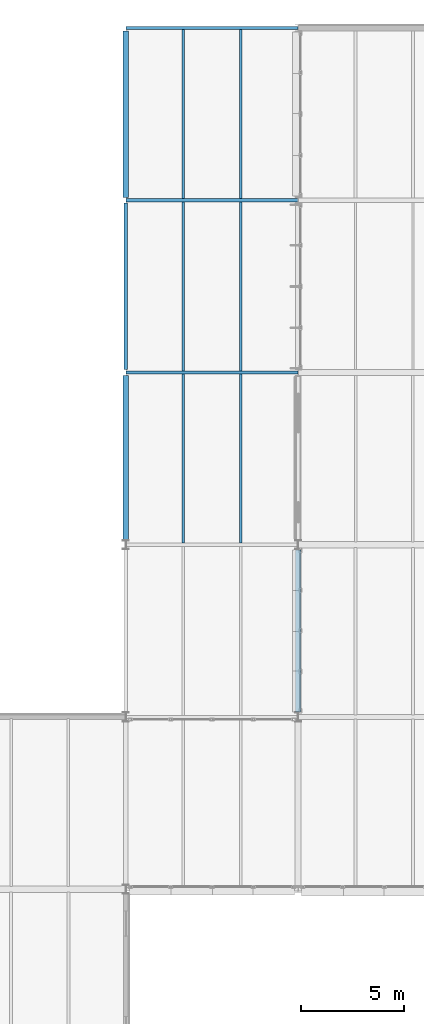
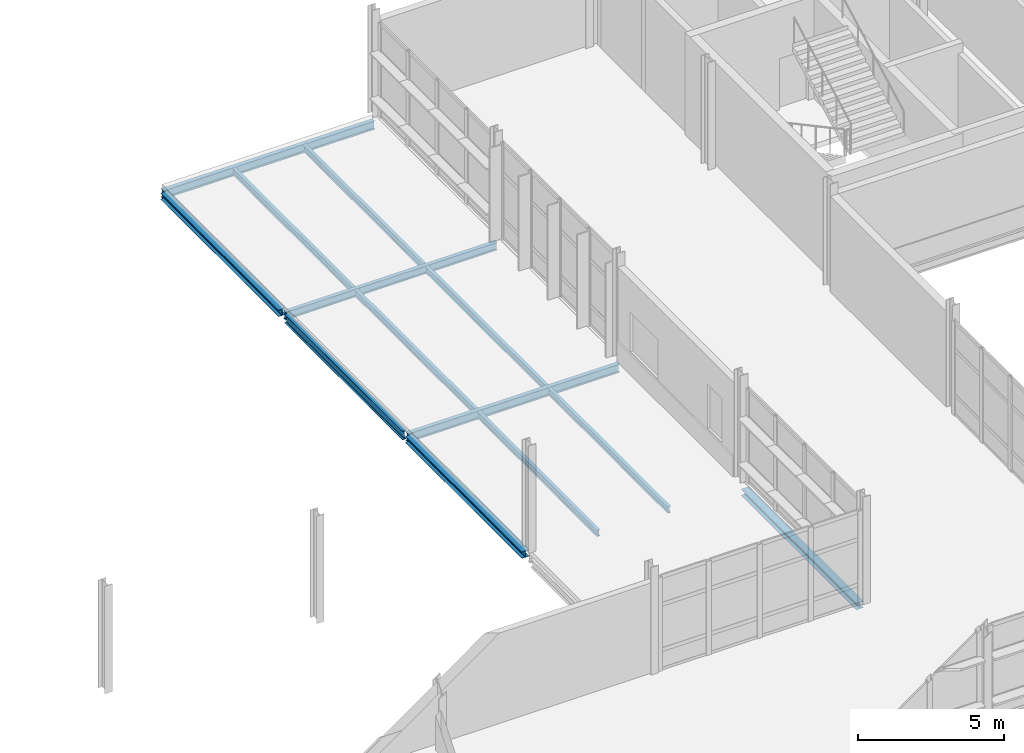
# One storey, part 39 of 129: 13 beams.
"""IFC4 building model written with IfcOpenShell, lengths in metres."""

from ifc_helpers import new_model, si_unit, direction, frame, origin, origin_2d, place, context, subcontext, project, spatial, i_section, extrude, material, material_profile, profile_set, type_object, element, save


model = new_model("IFC4")

# Units and contexts
model_context = context("Model", 3, precision=1e-05, world=origin(), true_north=direction((0.0, 1.0)))
body_context = subcontext(model_context, "Body", "Model", "MODEL_VIEW")
ifc_project = project(units=[si_unit("LENGTHUNIT", "METRE"), si_unit("AREAUNIT", "SQUARE_METRE"), si_unit("VOLUMEUNIT", "CUBIC_METRE"), si_unit("PLANEANGLEUNIT", "RADIAN"), si_unit("MASSUNIT", "GRAM", prefix="KILO")], contexts=[model_context])

# Site, building, storey
site_placement = place(None, origin())
site = spatial("IfcSite", under=ifc_project, at=site_placement, CompositionType="ELEMENT")
building_placement = place(site_placement, origin())
building = spatial("IfcBuilding", under=site, at=building_placement, Name="Mersafa Astral City Hall", CompositionType="ELEMENT")
storey_placement = place(building_placement, frame((0.0, 0.0, 5.39990234375)))
storey = spatial("IfcBuildingStorey", under=building, at=storey_placement, Name="L01", CompositionType="ELEMENT", Elevation=5.39990234375)

# Beams
ifc_material = material(Name="Steel S355", Category="steel")
ifc_material_profile_1 = material_profile(ifc_material, i_section(OverallWidth=0.135009765625, OverallDepth=0.27001953125, WebThickness=0.006591796875, FlangeThickness=0.01025390625, FilletRadius=0.014892578125, at=origin_2d()), Name="IPE 270")
ifc_profile_set_1 = profile_set([ifc_material_profile_1], Name="Steel S355")
beam_type_1 = type_object("IfcBeamType", Name="STR-BM-JOIST-IPE270", PredefinedType="JOIST", material=ifc_profile_set_1)
for number, where, z_axis, x_axis, name in (
    (1, (28.0, 100.875, -0.35986328125), (0.0, 1.0, 0.0), (-1.0, 0.0, 0.0), "L01 Flat roof secondary joist 21"),
    (2, (30.800048828125, 100.875, -0.35986328125), (0.0, 1.0, 0.0), (-1.0, 0.0, 0.0), "L01 Flat roof secondary joist 22"),
):
    element("IfcBeam", number, at=place(storey_placement, frame(where, z_axis=z_axis, x_axis=x_axis)), inside=storey, type_object=beam_type_1, Name=name, PredefinedType="JOIST", context=body_context, shape_type="SweptSolid", body=[
        extrude(i_section(OverallWidth=0.135009765625, OverallDepth=0.27001953125, WebThickness=0.006591796875, FlangeThickness=0.01025390625, FilletRadius=0.014892578125, at=origin_2d()), origin(), (0.0, 0.0, 1.0), 8.2451171875),
    ])
for number, where, z_axis, x_axis, name in (
    (3, (28.0, 109.280029296875, -0.35986328125), (0.0, 1.0, 0.0), (-1.0, 0.0, 0.0), "L01 Flat roof secondary joist 23"),
    (4, (30.800048828125, 109.280029296875, -0.35986328125), (0.0, 1.0, 0.0), (-1.0, 0.0, 0.0), "L01 Flat roof secondary joist 24"),
    (5, (28.0, 117.675048828125, -0.35986328125), (0.0, 1.0, 0.0), (-1.0, 0.0, 0.0), "L01 Flat roof secondary joist 25"),
    (6, (30.800048828125, 117.675048828125, -0.35986328125), (0.0, 1.0, 0.0), (-1.0, 0.0, 0.0), "L01 Flat roof secondary joist 26"),
):
    element("IfcBeam", number, at=place(storey_placement, frame(where, z_axis=z_axis, x_axis=x_axis)), inside=storey, type_object=beam_type_1, Name=name, PredefinedType="JOIST", context=body_context, shape_type="SweptSolid", body=[
        extrude(i_section(OverallWidth=0.135009765625, OverallDepth=0.27001953125, WebThickness=0.006591796875, FlangeThickness=0.01025390625, FilletRadius=0.014892578125, at=origin_2d()), origin(), (0.0, 0.0, 1.0), 8.244873046875),
    ])
ifc_material_profile_2 = material_profile(ifc_material, i_section(OverallWidth=0.280029296875, OverallDepth=0.27001953125, WebThickness=0.008056640625, FlangeThickness=0.012939453125, FilletRadius=0.02392578125, at=origin_2d()), Name="HEA 280")
ifc_profile_set_2 = profile_set([ifc_material_profile_2], Name="Steel S355")
beam_type_2 = type_object("IfcBeamType", Name="STR-BM-SPANDREL-HEA280", PredefinedType="SPANDREL", material=ifc_profile_set_2)
beam_1_placement = place(storey_placement, frame((25.199951171875, 101.044921875, -0.35986328125), z_axis=(0.0, 1.0, 0.0), x_axis=(-1.0, 0.0, 0.0)))
element("IfcBeam", 7, at=beam_1_placement, inside=storey, type_object=beam_type_2, Name="L01 Primary girder Y 3-12", PredefinedType="SPANDREL", context=body_context, shape_type="SweptSolid", body=[
    extrude(i_section(OverallWidth=0.280029296875, OverallDepth=0.27001953125, WebThickness=0.008056640625, FlangeThickness=0.012939453125, FilletRadius=0.02392578125, at=origin_2d()), origin(), (0.0, 0.0, 1.0), 8.010009765625),
])
beam_2_placement = place(storey_placement, frame((25.199951171875, 117.7451171875, -0.35986328125), z_axis=(0.0, 1.0, 0.0), x_axis=(-1.0, 0.0, 0.0)))
element("IfcBeam", 8, at=beam_2_placement, inside=storey, type_object=beam_type_2, Name="L01 Primary girder Y 3-14", PredefinedType="SPANDREL", context=body_context, shape_type="SweptSolid", body=[
    extrude(i_section(OverallWidth=0.280029296875, OverallDepth=0.27001953125, WebThickness=0.008056640625, FlangeThickness=0.012939453125, FilletRadius=0.02392578125, at=origin_2d()), origin(), (0.0, 0.0, 1.0), 8.10986328125),
])
beam_3_placement = place(storey_placement, frame((33.60009765625, 92.64501953125, -0.35986328125), z_axis=(0.0, 1.0, 0.0), x_axis=(-1.0, 0.0, 0.0)))
element("IfcBeam", 9, at=beam_3_placement, inside=storey, type_object=beam_type_2, Name="L01 Primary girder Y 4-11", PredefinedType="SPANDREL", context=body_context, shape_type="SweptSolid", body=[
    extrude(i_section(OverallWidth=0.280029296875, OverallDepth=0.27001953125, WebThickness=0.008056640625, FlangeThickness=0.012939453125, FilletRadius=0.02392578125, at=origin_2d()), origin(), (0.0, 0.0, 1.0), 7.909912109375),
])
ifc_material_profile_3 = material_profile(ifc_material, i_section(OverallWidth=0.159912109375, OverallDepth=0.330078125, WebThickness=0.007568359375, FlangeThickness=0.011474609375, FilletRadius=0.01806640625, at=origin_2d()), Name="IPE 330")
ifc_profile_set_3 = profile_set([ifc_material_profile_3], Name="Steel S355")
beam_type_3 = type_object("IfcBeamType", Name="STR-BM-SPANDREL-IPE330", PredefinedType="SPANDREL", material=ifc_profile_set_3)
beam_4_placement = place(storey_placement, frame((25.202880859375, 117.60009765625, -0.389892578125), z_axis=(1.0, 0.0, 0.0), x_axis=(0.0, 1.0, 0.0)))
element("IfcBeam", 10, at=beam_4_placement, inside=storey, type_object=beam_type_3, Name="L01 Primary girder X 3-14", PredefinedType="SPANDREL", context=body_context, shape_type="SweptSolid", body=[
    extrude(i_section(OverallWidth=0.159912109375, OverallDepth=0.330078125, WebThickness=0.007568359375, FlangeThickness=0.011474609375, FilletRadius=0.01806640625, at=origin_2d()), origin(), (0.0, 0.0, 1.0), 8.39404296875),
])
ifc_material_profile_4 = material_profile(ifc_material, i_section(OverallWidth=0.169921875, OverallDepth=0.360107421875, WebThickness=0.008056640625, FlangeThickness=0.0126953125, FilletRadius=0.01806640625, at=origin_2d()), Name="IPE 360")
ifc_profile_set_4 = profile_set([ifc_material_profile_4], Name="Steel S355")
beam_type_4 = type_object("IfcBeamType", Name="STR-BM-SPANDREL-IPE360", PredefinedType="SPANDREL", material=ifc_profile_set_4)
for number, where, z_axis, x_axis, name in (
    (11, (25.202880859375, 109.199951171875, -0.40478515625), (1.0, 0.0, 0.0), (0.0, 1.0, 0.0), "L01 Primary girder X 3-13"),
    (12, (25.202880859375, 126.0, -0.40478515625), (1.0, 0.0, 0.0), (0.0, 1.0, 0.0), "L01 Primary girder X 3-15"),
):
    element("IfcBeam", number, at=place(storey_placement, frame(where, z_axis=z_axis, x_axis=x_axis)), inside=storey, type_object=beam_type_4, Name=name, PredefinedType="SPANDREL", context=body_context, shape_type="SweptSolid", body=[
        extrude(i_section(OverallWidth=0.169921875, OverallDepth=0.360107421875, WebThickness=0.008056640625, FlangeThickness=0.0126953125, FilletRadius=0.01806640625, at=origin_2d()), origin(), (0.0, 0.0, 1.0), 8.39404296875),
    ])
beam_5_placement = place(storey_placement, frame((25.199951171875, 109.344970703125, -0.40478515625), z_axis=(0.0, 1.0, 0.0), x_axis=(-1.0, 0.0, 0.0)))
element("IfcBeam", 13, at=beam_5_placement, inside=storey, type_object=beam_type_4, Name="L01 Primary girder Y 3-13", PredefinedType="SPANDREL", context=body_context, shape_type="SweptSolid", body=[
    extrude(i_section(OverallWidth=0.169921875, OverallDepth=0.360107421875, WebThickness=0.008056640625, FlangeThickness=0.0126953125, FilletRadius=0.01806640625, at=origin_2d()), origin(), (0.0, 0.0, 1.0), 8.110107421875),
])

save(model, "model.ifc")
